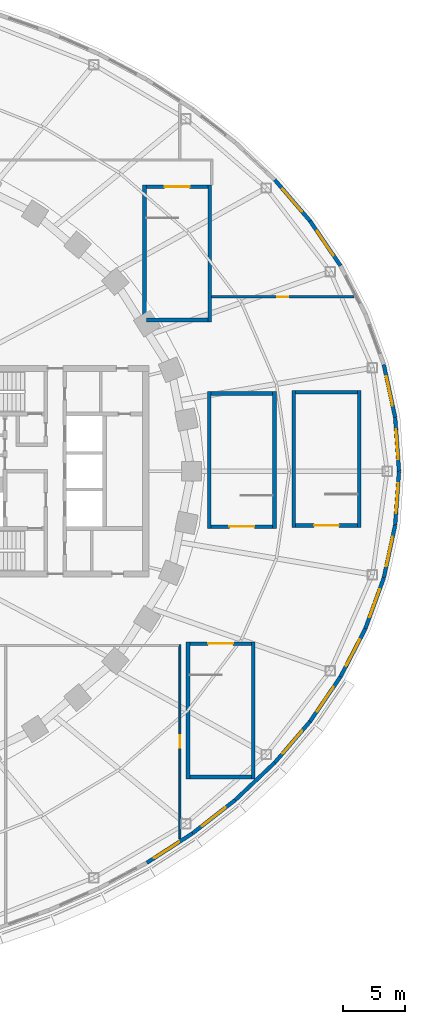
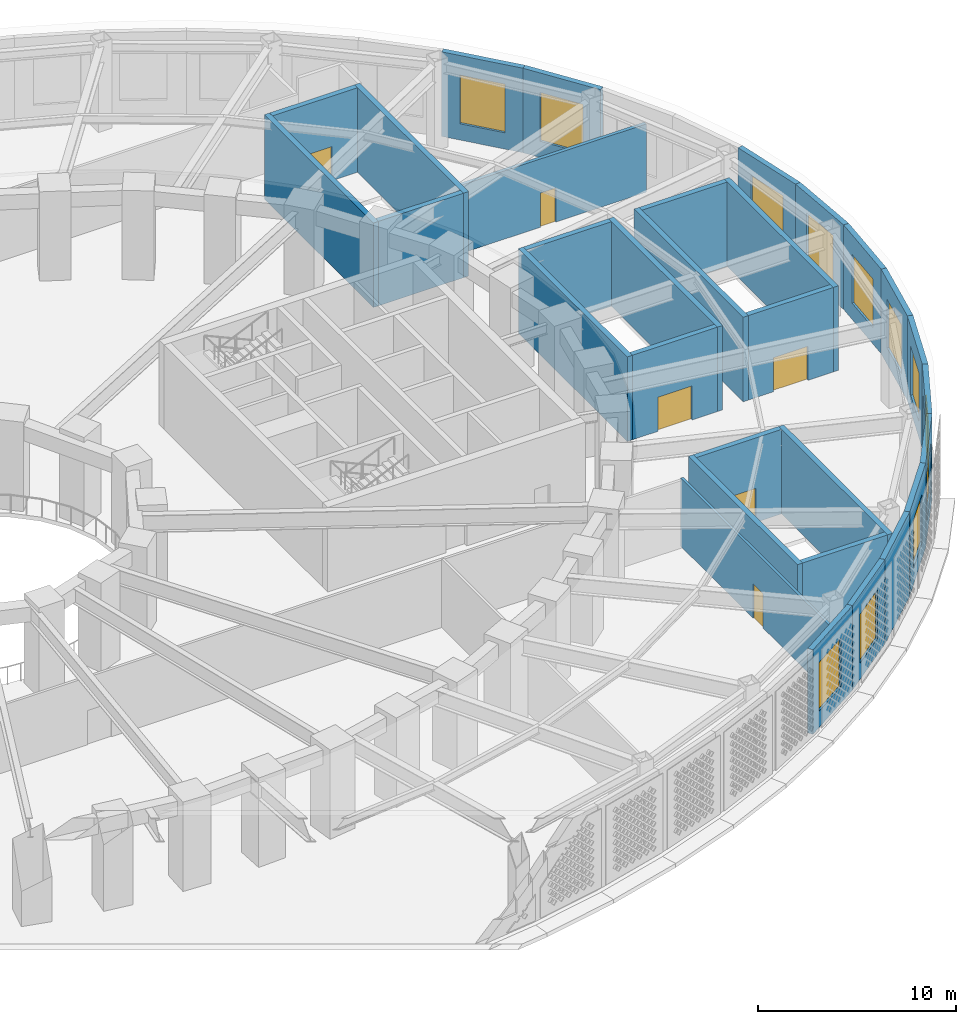
# One storey, part 14 of 63: 31 walls, 12 windows, 6 doors, 18 openings.
"""IFC4 building model written with IfcOpenShell, lengths in metres."""

from ifc_helpers import new_model, si_unit, direction, frame, frame_2d, origin, place, context, subcontext, project, spatial, rectangle, extrude, material, layer, layer_set, type_object, element, fill, save


model = new_model("IFC4")

# Units and contexts
model_context = context("Model", 3, precision=1e-05, world=origin(), true_north=direction((0.0, 1.0)))
body_context = subcontext(model_context, "Body", "Model", "MODEL_VIEW")
ifc_project = project(units=[si_unit("LENGTHUNIT", "METRE"), si_unit("AREAUNIT", "SQUARE_METRE"), si_unit("VOLUMEUNIT", "CUBIC_METRE"), si_unit("PLANEANGLEUNIT", "RADIAN"), si_unit("MASSUNIT", "GRAM", prefix="KILO")], contexts=[model_context])

# Site, building, storey
site_placement = place(None, origin())
site = spatial("IfcSite", under=ifc_project, at=site_placement, CompositionType="ELEMENT")
building_placement = place(site_placement, origin())
building = spatial("IfcBuilding", under=site, at=building_placement, Name="Noorbagh Ring Tower", CompositionType="ELEMENT")
storey_placement = place(building_placement, frame((0.0, 0.0, 25.0)))
storey = spatial("IfcBuildingStorey", under=building, at=storey_placement, Name="L04", CompositionType="ELEMENT", Elevation=25.0)

# Wall, opening, window
ifc_material_1 = material(Name="Blockwork faced with red sandstone", Category="masonry")
ifc_layer_1 = layer(ifc_material_1, 0.300048828125)
ifc_layer_set_1 = layer_set([ifc_layer_1], Name="Blockwork faced with red sandstone")
wall_type_1 = type_object("IfcWallType", Name="GND-ENV-WALL", PredefinedType="SOLIDWALL", material=ifc_layer_set_1)
wall_1_placement = place(storey_placement, frame((51.59912109375, 0.0, 0.0), z_axis=(0.0, 0.0, 1.0), x_axis=(-0.071315050824, 0.997453840298, 0.0)))
wall_1 = element("IfcWall", 1, at=wall_1_placement, inside=storey, type_object=wall_type_1, Name="Podium wall", PredefinedType="SOLIDWALL", context=body_context, shape_type="SweptSolid", body=[
    extrude(rectangle(XDim=4.33740234375, YDim=0.300048828125, at=frame_2d((2.168701171875, 0.0))), origin(), (0.0, 0.0, 1.0), 5.199951171875),
])
opening_1_placement = place(wall_1_placement, frame((0.96875, 0.0, 1.0)))
opening_1 = element("IfcOpeningElement", 2, at=opening_1_placement, cuts=wall_1, Name="Opening GWN1", PredefinedType="OPENING", context=body_context, shape_type="SweptSolid", body=[
    extrude(rectangle(XDim=2.39990234375, YDim=3.0, at=frame_2d((1.199951171875, 1.5))), frame((0.0, 0.16015625, 0.0), z_axis=(0.0, -1.0, 0.0), x_axis=(1.0, 0.0, 0.0)), (0.0, 0.0, 1.0), 0.320068359375),
])
ifc_material_2 = material(Name="Aluminium and glass", Category="aluminium")
window_type = type_object("IfcWindowType", Name="GND-ENV-WINDOW", PartitioningType="SINGLE_PANEL", PredefinedType="WINDOW", material=ifc_material_2)
window_1_placement = place(opening_1_placement, origin())
window_1 = element("IfcWindow", 3, at=window_1_placement, inside=storey, type_object=window_type, Name="L04 podium window", OverallHeight=3.0, OverallWidth=2.39990234375, PartitioningType="SINGLE_PANEL", PredefinedType="WINDOW", context=body_context, shape_type="SweptSolid", body=[
    extrude(rectangle(XDim=2.39990234375, YDim=3.0, at=frame_2d((1.199951171875, 1.5))), frame((0.0, 0.030029296875, 0.0), z_axis=(0.0, -1.0, 0.0), x_axis=(1.0, 0.0, 0.0)), (0.0, 0.0, 1.0), 0.06005859375),
])
fill(opening_1, window_1)

wall_2_placement = place(storey_placement, frame((51.289794921875, 4.326416015625, 0.0), z_axis=(0.0, 0.0, 1.0), x_axis=(-0.210616468766, 0.977568771537, 0.0)))
wall_2 = element("IfcWall", 4, at=wall_2_placement, inside=storey, type_object=wall_type_1, Name="Podium wall", PredefinedType="SOLIDWALL", context=body_context, shape_type="SweptSolid", body=[
    extrude(rectangle(XDim=4.3388671875, YDim=0.300048828125, at=frame_2d((2.16943359375, 0.0))), origin(), (0.0, 0.0, 1.0), 5.199951171875),
])
opening_2_placement = place(wall_2_placement, frame((0.969482421875, 0.0, 1.0)))
opening_2 = element("IfcOpeningElement", 5, at=opening_2_placement, cuts=wall_2, Name="Opening GWN1", PredefinedType="OPENING", context=body_context, shape_type="SweptSolid", body=[
    extrude(rectangle(XDim=2.39990234375, YDim=3.0, at=frame_2d((1.199951171875, 1.5))), frame((0.0, 0.16015625, 0.0), z_axis=(0.0, -1.0, 0.0), x_axis=(1.0, 0.0, 0.0)), (0.0, 0.0, 1.0), 0.320068359375),
])
window_2_placement = place(opening_2_placement, origin())
window_2 = element("IfcWindow", 6, at=window_2_placement, inside=storey, type_object=window_type, Name="L04 podium window", OverallHeight=3.0, OverallWidth=2.39990234375, PartitioningType="SINGLE_PANEL", PredefinedType="WINDOW", context=body_context, shape_type="SweptSolid", body=[
    extrude(rectangle(XDim=2.39990234375, YDim=3.0, at=frame_2d((1.199951171875, 1.5))), frame((0.0, 0.030029296875, 0.0), z_axis=(0.0, -1.0, 0.0), x_axis=(1.0, 0.0, 0.0)), (0.0, 0.0, 1.0), 0.06005859375),
])
fill(opening_2, window_2)

wall_3_placement = place(storey_placement, frame((46.89892578125, 16.50830078125, 0.0), z_axis=(0.0, 0.0, 1.0), x_axis=(-0.562667738859, 0.82668314102, 0.0)))
wall_3 = element("IfcWall", 7, at=wall_3_placement, inside=storey, type_object=wall_type_1, Name="Podium wall", PredefinedType="SOLIDWALL", context=body_context, shape_type="SweptSolid", body=[
    extrude(rectangle(XDim=4.348876953125, YDim=0.300048828125, at=frame_2d((2.17431640625, 0.0))), origin(), (0.0, 0.0, 1.0), 5.199951171875),
])
opening_3_placement = place(wall_3_placement, frame((0.974365234375, 0.0, 1.0)))
opening_3 = element("IfcOpeningElement", 8, at=opening_3_placement, cuts=wall_3, Name="Opening GWN1", PredefinedType="OPENING", context=body_context, shape_type="SweptSolid", body=[
    extrude(rectangle(XDim=2.39990234375, YDim=3.0, at=frame_2d((1.199951171875, 1.5))), frame((0.0, 0.16015625, 0.0), z_axis=(0.0, -1.0, 0.0), x_axis=(1.0, 0.0, 0.0)), (0.0, 0.0, 1.0), 0.320068359375),
])
window_3_placement = place(opening_3_placement, origin())
window_3 = element("IfcWindow", 9, at=window_3_placement, inside=storey, type_object=window_type, Name="L04 podium window", OverallHeight=3.0, OverallWidth=2.39990234375, PartitioningType="SINGLE_PANEL", PredefinedType="WINDOW", context=body_context, shape_type="SweptSolid", body=[
    extrude(rectangle(XDim=2.39990234375, YDim=3.0, at=frame_2d((1.199951171875, 1.5))), frame((0.0, 0.030029296875, 0.0), z_axis=(0.0, -1.0, 0.0), x_axis=(1.0, 0.0, 0.0)), (0.0, 0.0, 1.0), 0.06005859375),
])
fill(opening_3, window_3)

wall_4_placement = place(storey_placement, frame((44.451904296875, 20.103515625, 0.0), z_axis=(0.0, 0.0, 1.0), x_axis=(-0.651387059497, 0.758745608699, 0.0)))
wall_4 = element("IfcWall", 10, at=wall_4_placement, inside=storey, type_object=wall_type_1, Name="Podium wall", PredefinedType="SOLIDWALL", context=body_context, shape_type="SweptSolid", body=[
    extrude(rectangle(XDim=4.3525390625, YDim=0.300048828125, at=frame_2d((2.17626953125, 0.0))), origin(), (0.0, 0.0, 1.0), 5.199951171875),
])
opening_4_placement = place(wall_4_placement, frame((0.976318359375, 0.0, 1.0)))
opening_4 = element("IfcOpeningElement", 11, at=opening_4_placement, cuts=wall_4, Name="Opening GWN1", PredefinedType="OPENING", context=body_context, shape_type="SweptSolid", body=[
    extrude(rectangle(XDim=2.39990234375, YDim=3.0, at=frame_2d((1.199951171875, 1.5))), frame((0.0, 0.16015625, 0.0), z_axis=(0.0, -1.0, 0.0), x_axis=(1.0, 0.0, 0.0)), (0.0, 0.0, 1.0), 0.320068359375),
])
window_4_placement = place(opening_4_placement, origin())
window_4 = element("IfcWindow", 12, at=window_4_placement, inside=storey, type_object=window_type, Name="L04 podium window", OverallHeight=3.0, OverallWidth=2.39990234375, PartitioningType="SINGLE_PANEL", PredefinedType="WINDOW", context=body_context, shape_type="SweptSolid", body=[
    extrude(rectangle(XDim=2.39990234375, YDim=3.0, at=frame_2d((1.199951171875, 1.5))), frame((0.0, 0.030029296875, 0.0), z_axis=(0.0, -1.0, 0.0), x_axis=(1.0, 0.0, 0.0)), (0.0, 0.0, 1.0), 0.06005859375),
])
fill(opening_4, window_4)

wall_5_placement = place(storey_placement, frame((31.3515625, -31.448486328125, 0.0), z_axis=(0.0, 0.0, 1.0), x_axis=(0.840047348843, 0.542513088969, 0.0)))
wall_5 = element("IfcWall", 13, at=wall_5_placement, inside=storey, type_object=wall_type_1, Name="Podium wall", PredefinedType="SOLIDWALL", context=body_context, shape_type="SweptSolid", body=[
    extrude(rectangle(XDim=4.362060546875, YDim=0.300048828125, at=frame_2d((2.18115234375, 0.0))), origin(), (0.0, 0.0, 1.0), 5.199951171875),
])
opening_5_placement = place(wall_5_placement, frame((0.69091796875, 0.0, 1.0)))
opening_5 = element("IfcOpeningElement", 14, at=opening_5_placement, cuts=wall_5, Name="Opening GWN1", PredefinedType="OPENING", context=body_context, shape_type="SweptSolid", body=[
    extrude(rectangle(XDim=2.39990234375, YDim=3.0, at=frame_2d((1.199951171875, 1.5))), frame((0.0, 0.16015625, 0.0), z_axis=(0.0, -1.0, 0.0), x_axis=(1.0, 0.0, 0.0)), (0.0, 0.0, 1.0), 0.320068359375),
])
window_5_placement = place(opening_5_placement, origin())
window_5 = element("IfcWindow", 15, at=window_5_placement, inside=storey, type_object=window_type, Name="L04 podium window", OverallHeight=3.0, OverallWidth=2.39990234375, PartitioningType="SINGLE_PANEL", PredefinedType="WINDOW", context=body_context, shape_type="SweptSolid", body=[
    extrude(rectangle(XDim=2.39990234375, YDim=3.0, at=frame_2d((1.199951171875, 1.5))), frame((0.0, 0.030029296875, 0.0), z_axis=(0.0, -1.0, 0.0), x_axis=(1.0, 0.0, 0.0)), (0.0, 0.0, 1.0), 0.06005859375),
])
fill(opening_5, window_5)

wall_6_placement = place(storey_placement, frame((35.015869140625, -29.08203125, 0.0), z_axis=(0.0, 0.0, 1.0), x_axis=(0.788491985196, 0.615045030288, 0.0)))
wall_6 = element("IfcWall", 16, at=wall_6_placement, inside=storey, type_object=wall_type_1, Name="Podium wall", PredefinedType="SOLIDWALL", context=body_context, shape_type="SweptSolid", body=[
    extrude(rectangle(XDim=4.359375, YDim=0.300048828125, at=frame_2d((2.1796875, 0.0))), origin(), (0.0, 0.0, 1.0), 5.199951171875),
])
opening_6_placement = place(wall_6_placement, frame((0.979736328125, 0.0, 1.0)))
opening_6 = element("IfcOpeningElement", 17, at=opening_6_placement, cuts=wall_6, Name="Opening GWN1", PredefinedType="OPENING", context=body_context, shape_type="SweptSolid", body=[
    extrude(rectangle(XDim=2.39990234375, YDim=3.0, at=frame_2d((1.199951171875, 1.5))), frame((0.0, 0.16015625, 0.0), z_axis=(0.0, -1.0, 0.0), x_axis=(1.0, 0.0, 0.0)), (0.0, 0.0, 1.0), 0.320068359375),
])
window_6_placement = place(opening_6_placement, origin())
window_6 = element("IfcWindow", 18, at=window_6_placement, inside=storey, type_object=window_type, Name="L04 podium window", OverallHeight=3.0, OverallWidth=2.39990234375, PartitioningType="SINGLE_PANEL", PredefinedType="WINDOW", context=body_context, shape_type="SweptSolid", body=[
    extrude(rectangle(XDim=2.39990234375, YDim=3.0, at=frame_2d((1.199951171875, 1.5))), frame((0.0, 0.030029296875, 0.0), z_axis=(0.0, -1.0, 0.0), x_axis=(1.0, 0.0, 0.0)), (0.0, 0.0, 1.0), 0.06005859375),
])
fill(opening_6, window_6)

# Wall
wall_7_placement = place(storey_placement, frame((38.453125, -26.40087890625, 0.0), z_axis=(0.0, 0.0, 1.0), x_axis=(0.72620446032, 0.687478786444, 0.0)))
element("IfcWall", 19, at=wall_7_placement, inside=storey, type_object=wall_type_1, Name="Podium wall", PredefinedType="SOLIDWALL", context=body_context, shape_type="SweptSolid", body=[
    extrude(rectangle(XDim=4.356201171875, YDim=0.300048828125, at=frame_2d((2.17822265625, 0.0))), origin(), (0.0, 0.0, 1.0), 5.199951171875),
])

# Wall, opening, window
wall_8_placement = place(storey_placement, frame((41.61669921875, -23.406005859375, 0.0), z_axis=(0.0, 0.0, 1.0), x_axis=(0.651387059497, 0.758745608699, 0.0)))
wall_8 = element("IfcWall", 20, at=wall_8_placement, inside=storey, type_object=wall_type_1, Name="Podium wall", PredefinedType="SOLIDWALL", context=body_context, shape_type="SweptSolid", body=[
    extrude(rectangle(XDim=4.3525390625, YDim=0.300048828125, at=frame_2d((2.17626953125, 0.0))), origin(), (0.0, 0.0, 1.0), 5.199951171875),
])
opening_7_placement = place(wall_8_placement, frame((0.976318359375, 0.0, 1.0)))
opening_7 = element("IfcOpeningElement", 21, at=opening_7_placement, cuts=wall_8, Name="Opening GWN1", PredefinedType="OPENING", context=body_context, shape_type="SweptSolid", body=[
    extrude(rectangle(XDim=2.39990234375, YDim=3.0, at=frame_2d((1.199951171875, 1.5))), frame((0.0, 0.16015625, 0.0), z_axis=(0.0, -1.0, 0.0), x_axis=(1.0, 0.0, 0.0)), (0.0, 0.0, 1.0), 0.320068359375),
])
window_7_placement = place(opening_7_placement, origin())
window_7 = element("IfcWindow", 22, at=window_7_placement, inside=storey, type_object=window_type, Name="L04 podium window", OverallHeight=3.0, OverallWidth=2.39990234375, PartitioningType="SINGLE_PANEL", PredefinedType="WINDOW", context=body_context, shape_type="SweptSolid", body=[
    extrude(rectangle(XDim=2.39990234375, YDim=3.0, at=frame_2d((1.199951171875, 1.5))), frame((0.0, 0.030029296875, 0.0), z_axis=(0.0, -1.0, 0.0), x_axis=(1.0, 0.0, 0.0)), (0.0, 0.0, 1.0), 0.06005859375),
])
fill(opening_7, window_7)

wall_9_placement = place(storey_placement, frame((44.451904296875, -20.103515625, 0.0), z_axis=(0.0, 0.0, 1.0), x_axis=(0.562667738859, 0.82668314102, 0.0)))
wall_9 = element("IfcWall", 23, at=wall_9_placement, inside=storey, type_object=wall_type_1, Name="Podium wall", PredefinedType="SOLIDWALL", context=body_context, shape_type="SweptSolid", body=[
    extrude(rectangle(XDim=4.348876953125, YDim=0.300048828125, at=frame_2d((2.17431640625, 0.0))), origin(), (0.0, 0.0, 1.0), 5.199951171875),
])
opening_8_placement = place(wall_9_placement, frame((0.974365234375, 0.0, 1.0)))
opening_8 = element("IfcOpeningElement", 24, at=opening_8_placement, cuts=wall_9, Name="Opening GWN1", PredefinedType="OPENING", context=body_context, shape_type="SweptSolid", body=[
    extrude(rectangle(XDim=2.39990234375, YDim=3.0, at=frame_2d((1.199951171875, 1.5))), frame((0.0, 0.16015625, 0.0), z_axis=(0.0, -1.0, 0.0), x_axis=(1.0, 0.0, 0.0)), (0.0, 0.0, 1.0), 0.320068359375),
])
window_8_placement = place(opening_8_placement, origin())
window_8 = element("IfcWindow", 25, at=window_8_placement, inside=storey, type_object=window_type, Name="L04 podium window", OverallHeight=3.0, OverallWidth=2.39990234375, PartitioningType="SINGLE_PANEL", PredefinedType="WINDOW", context=body_context, shape_type="SweptSolid", body=[
    extrude(rectangle(XDim=2.39990234375, YDim=3.0, at=frame_2d((1.199951171875, 1.5))), frame((0.0, 0.030029296875, 0.0), z_axis=(0.0, -1.0, 0.0), x_axis=(1.0, 0.0, 0.0)), (0.0, 0.0, 1.0), 0.06005859375),
])
fill(opening_8, window_8)

wall_10_placement = place(storey_placement, frame((46.89892578125, -16.50830078125, 0.0), z_axis=(0.0, 0.0, 1.0), x_axis=(0.459242531468, 0.888310923771, 0.0)))
wall_10 = element("IfcWall", 26, at=wall_10_placement, inside=storey, type_object=wall_type_1, Name="Podium wall", PredefinedType="SOLIDWALL", context=body_context, shape_type="SweptSolid", body=[
    extrude(rectangle(XDim=4.344970703125, YDim=0.300048828125, at=frame_2d((2.17236328125, 0.0))), origin(), (0.0, 0.0, 1.0), 5.199951171875),
])
opening_9_placement = place(wall_10_placement, frame((0.972412109375, 0.0, 1.0)))
opening_9 = element("IfcOpeningElement", 27, at=opening_9_placement, cuts=wall_10, Name="Opening GWN1", PredefinedType="OPENING", context=body_context, shape_type="SweptSolid", body=[
    extrude(rectangle(XDim=2.39990234375, YDim=3.0, at=frame_2d((1.199951171875, 1.5))), frame((0.0, 0.16015625, 0.0), z_axis=(0.0, -1.0, 0.0), x_axis=(1.0, 0.0, 0.0)), (0.0, 0.0, 1.0), 0.320068359375),
])
window_9_placement = place(opening_9_placement, origin())
window_9 = element("IfcWindow", 28, at=window_9_placement, inside=storey, type_object=window_type, Name="L04 podium window", OverallHeight=3.0, OverallWidth=2.39990234375, PartitioningType="SINGLE_PANEL", PredefinedType="WINDOW", context=body_context, shape_type="SweptSolid", body=[
    extrude(rectangle(XDim=2.39990234375, YDim=3.0, at=frame_2d((1.199951171875, 1.5))), frame((0.0, 0.030029296875, 0.0), z_axis=(0.0, -1.0, 0.0), x_axis=(1.0, 0.0, 0.0)), (0.0, 0.0, 1.0), 0.06005859375),
])
fill(opening_9, window_9)

wall_11_placement = place(storey_placement, frame((48.894287109375, -12.648681640625, 0.0), z_axis=(0.0, 0.0, 1.0), x_axis=(0.341286990045, 0.939959142956, 0.0)))
wall_11 = element("IfcWall", 29, at=wall_11_placement, inside=storey, type_object=wall_type_1, Name="Podium wall", PredefinedType="SOLIDWALL", context=body_context, shape_type="SweptSolid", body=[
    extrude(rectangle(XDim=4.341552734375, YDim=0.300048828125, at=frame_2d((2.1708984375, 0.0))), origin(), (0.0, 0.0, 1.0), 5.199951171875),
])
opening_10_placement = place(wall_11_placement, frame((0.970703125, 0.0, 1.0)))
opening_10 = element("IfcOpeningElement", 30, at=opening_10_placement, cuts=wall_11, Name="Opening GWN1", PredefinedType="OPENING", context=body_context, shape_type="SweptSolid", body=[
    extrude(rectangle(XDim=2.39990234375, YDim=3.0, at=frame_2d((1.199951171875, 1.5))), frame((0.0, 0.16015625, 0.0), z_axis=(0.0, -1.0, 0.0), x_axis=(1.0, 0.0, 0.0)), (0.0, 0.0, 1.0), 0.320068359375),
])
window_10_placement = place(opening_10_placement, origin())
window_10 = element("IfcWindow", 31, at=window_10_placement, inside=storey, type_object=window_type, Name="L04 podium window", OverallHeight=3.0, OverallWidth=2.39990234375, PartitioningType="SINGLE_PANEL", PredefinedType="WINDOW", context=body_context, shape_type="SweptSolid", body=[
    extrude(rectangle(XDim=2.39990234375, YDim=3.0, at=frame_2d((1.199951171875, 1.5))), frame((0.0, 0.030029296875, 0.0), z_axis=(0.0, -1.0, 0.0), x_axis=(1.0, 0.0, 0.0)), (0.0, 0.0, 1.0), 0.06005859375),
])
fill(opening_10, window_10)

wall_12_placement = place(storey_placement, frame((50.3759765625, -8.56787109375, 0.0), z_axis=(0.0, 0.0, 1.0), x_axis=(0.210616468766, 0.977568771537, 0.0)))
wall_12 = element("IfcWall", 32, at=wall_12_placement, inside=storey, type_object=wall_type_1, Name="Podium wall", PredefinedType="SOLIDWALL", context=body_context, shape_type="SweptSolid", body=[
    extrude(rectangle(XDim=4.3388671875, YDim=0.300048828125, at=frame_2d((2.16943359375, 0.0))), origin(), (0.0, 0.0, 1.0), 5.199951171875),
])
opening_11_placement = place(wall_12_placement, frame((0.969482421875, 0.0, 1.0)))
opening_11 = element("IfcOpeningElement", 33, at=opening_11_placement, cuts=wall_12, Name="Opening GWN1", PredefinedType="OPENING", context=body_context, shape_type="SweptSolid", body=[
    extrude(rectangle(XDim=2.39990234375, YDim=3.0, at=frame_2d((1.199951171875, 1.5))), frame((0.0, 0.16015625, 0.0), z_axis=(0.0, -1.0, 0.0), x_axis=(1.0, 0.0, 0.0)), (0.0, 0.0, 1.0), 0.320068359375),
])
window_11_placement = place(opening_11_placement, origin())
window_11 = element("IfcWindow", 34, at=window_11_placement, inside=storey, type_object=window_type, Name="L04 podium window", OverallHeight=3.0, OverallWidth=2.39990234375, PartitioningType="SINGLE_PANEL", PredefinedType="WINDOW", context=body_context, shape_type="SweptSolid", body=[
    extrude(rectangle(XDim=2.39990234375, YDim=3.0, at=frame_2d((1.199951171875, 1.5))), frame((0.0, 0.030029296875, 0.0), z_axis=(0.0, -1.0, 0.0), x_axis=(1.0, 0.0, 0.0)), (0.0, 0.0, 1.0), 0.06005859375),
])
fill(opening_11, window_11)

wall_13_placement = place(storey_placement, frame((51.289794921875, -4.326416015625, 0.0), z_axis=(0.0, 0.0, 1.0), x_axis=(0.071315050824, 0.997453840298, 0.0)))
wall_13 = element("IfcWall", 35, at=wall_13_placement, inside=storey, type_object=wall_type_1, Name="Podium wall", PredefinedType="SOLIDWALL", context=body_context, shape_type="SweptSolid", body=[
    extrude(rectangle(XDim=4.33740234375, YDim=0.300048828125, at=frame_2d((2.168701171875, 0.0))), origin(), (0.0, 0.0, 1.0), 5.199951171875),
])
opening_12_placement = place(wall_13_placement, frame((0.96875, 0.0, 1.0)))
opening_12 = element("IfcOpeningElement", 36, at=opening_12_placement, cuts=wall_13, Name="Opening GWN1", PredefinedType="OPENING", context=body_context, shape_type="SweptSolid", body=[
    extrude(rectangle(XDim=2.39990234375, YDim=3.0, at=frame_2d((1.199951171875, 1.5))), frame((0.0, 0.16015625, 0.0), z_axis=(0.0, -1.0, 0.0), x_axis=(1.0, 0.0, 0.0)), (0.0, 0.0, 1.0), 0.320068359375),
])
window_12_placement = place(opening_12_placement, origin())
window_12 = element("IfcWindow", 37, at=window_12_placement, inside=storey, type_object=window_type, Name="L04 podium window", OverallHeight=3.0, OverallWidth=2.39990234375, PartitioningType="SINGLE_PANEL", PredefinedType="WINDOW", context=body_context, shape_type="SweptSolid", body=[
    extrude(rectangle(XDim=2.39990234375, YDim=3.0, at=frame_2d((1.199951171875, 1.5))), frame((0.0, 0.030029296875, 0.0), z_axis=(0.0, -1.0, 0.0), x_axis=(1.0, 0.0, 0.0)), (0.0, 0.0, 1.0), 0.06005859375),
])
fill(opening_12, window_12)

# Wall, opening, door
ifc_material_3 = material(Name="Gypsum board on steel studs", Category="steel")
ifc_layer_2 = layer(ifc_material_3, 0.14990234375)
ifc_layer_set_2 = layer_set([ifc_layer_2], Name="Gypsum board on steel studs")
wall_type_2 = type_object("IfcWallType", Name="GND-PART-150", PredefinedType="PARTITIONING", material=ifc_layer_set_2)
wall_14_placement = place(storey_placement, frame((34.0, -13.925048828125, 0.0), z_axis=(0.0, 0.0, 1.0), x_axis=(0.0, -1.0, 0.0)))
wall_14 = element("IfcWall", 38, at=wall_14_placement, inside=storey, type_object=wall_type_2, Name="L04/wall/P005", PredefinedType="PARTITIONING", context=body_context, shape_type="SweptSolid", body=[
    extrude(rectangle(XDim=15.594482421875, YDim=0.14990234375, at=frame_2d((7.79736328125, 0.0))), origin(), (0.0, 0.0, 1.0), 4.199951171875),
])
opening_13_placement = place(wall_14_placement, frame((7.29736328125, 0.0, 0.0)))
opening_13 = element("IfcOpeningElement", 39, at=opening_13_placement, cuts=wall_14, Name="Opening GD6", PredefinedType="OPENING", context=body_context, shape_type="SweptSolid", body=[
    extrude(rectangle(XDim=1.0, YDim=2.10009765625, at=frame_2d((0.5, 1.050048828125))), frame((0.0, 0.0849609375, 0.0), z_axis=(0.0, -1.0, 0.0), x_axis=(1.0, 0.0, 0.0)), (0.0, 0.0, 1.0), 0.169921875),
])
ifc_material_4 = material(Name="Timber", Category="wood")
door_type_1 = type_object("IfcDoorType", Name="GND-DOOR-HALL", OperationType="SINGLE_SWING_LEFT", PredefinedType="DOOR", material=ifc_material_4)
door_1_placement = place(opening_13_placement, origin())
door_1 = element("IfcDoor", 40, at=door_1_placement, inside=storey, type_object=door_type_1, Name="Boardroom door", OperationType="SINGLE_SWING_RIGHT", OverallHeight=2.10009765625, OverallWidth=1.0, PredefinedType="DOOR", context=body_context, shape_type="SweptSolid", body=[
    extrude(rectangle(XDim=1.0, YDim=2.10009765625, at=frame_2d((0.5, 1.050048828125))), frame((0.0, 0.02490234375, 0.0), z_axis=(0.0, -1.0, 0.0), x_axis=(1.0, 0.0, 0.0)), (0.0, 0.0, 1.0), 0.050048828125),
])
fill(opening_13, door_1)

ifc_material_5 = material(Name="Reinforced blockwork", Category="masonry")
ifc_layer_3 = layer(ifc_material_5, 0.199951171875)
ifc_layer_set_3 = layer_set([ifc_layer_3], Name="Reinforced blockwork")
wall_type_3 = type_object("IfcWallType", Name="GND-PART-200", PredefinedType="PARTITIONING", material=ifc_layer_set_3)
wall_15_placement = place(storey_placement, frame((47.98681640625, 14.0, 0.0), z_axis=(0.0, 0.0, 1.0), x_axis=(-1.0, 0.0, 0.0)))
wall_15 = element("IfcWall", 41, at=wall_15_placement, inside=storey, type_object=wall_type_3, Name="L04/wall/P012", PredefinedType="PARTITIONING", context=body_context, shape_type="SweptSolid", body=[
    extrude(rectangle(XDim=11.436767578125, YDim=0.199951171875, at=frame_2d((5.71826171875, 0.0))), origin(), (0.0, 0.0, 1.0), 4.199951171875),
])
opening_14_placement = place(wall_15_placement, frame((5.2685546875, 0.0, 0.0)))
opening_14 = element("IfcOpeningElement", 42, at=opening_14_placement, cuts=wall_15, Name="Opening GD10", PredefinedType="OPENING", context=body_context, shape_type="SweptSolid", body=[
    extrude(rectangle(XDim=0.89990234375, YDim=2.10009765625, at=frame_2d((0.449951171875, 1.050048828125))), frame((0.0, 0.10986328125, 0.0), z_axis=(0.0, -1.0, 0.0), x_axis=(1.0, 0.0, 0.0)), (0.0, 0.0, 1.0), 0.219970703125),
])
ifc_material_6 = material(Name="Steel", Category="steel")
door_type_2 = type_object("IfcDoorType", Name="GND-DOOR-HALL-FD60", OperationType="SINGLE_SWING_LEFT", PredefinedType="DOOR", material=ifc_material_6)
door_2_placement = place(opening_14_placement, origin())
door_2 = element("IfcDoor", 43, at=door_2_placement, inside=storey, type_object=door_type_2, Name="Catering pantry door", OperationType="SINGLE_SWING_LEFT", OverallHeight=2.10009765625, OverallWidth=0.89990234375, PredefinedType="DOOR", context=body_context, shape_type="SweptSolid", body=[
    extrude(rectangle(XDim=0.89990234375, YDim=2.10009765625, at=frame_2d((0.449951171875, 1.050048828125))), frame((0.0, 0.02490234375, 0.0), z_axis=(0.0, -1.0, 0.0), x_axis=(1.0, 0.0, 0.0)), (0.0, 0.0, 1.0), 0.050048828125),
])
fill(opening_14, door_2)

# Walls
ifc_material_7 = material(Name="Concrete C60/75", Category="concrete")
ifc_layer_4 = layer(ifc_material_7, 0.300048828125)
ifc_layer_set_4 = layer_set([ifc_layer_4], Name="Concrete C60/75")
wall_type_4 = type_object("IfcWallType", Name="GND-STAIR-WALL", PredefinedType="SHEAR", material=ifc_layer_set_4)
for number, where, z_axis, x_axis, name in (
    (44, (36.35009765625, -4.60009765625, 0.0), (0.0, 0.0, 1.0), (0.0, 1.0, 0.0), "Exit stair ST-P2 wall"),
    (45, (41.60009765625, -4.60009765625, 0.0), (0.0, 0.0, 1.0), (0.0, 1.0, 0.0), "Exit stair ST-P2 wall"),
):
    element("IfcWall", number, at=place(storey_placement, frame(where, z_axis=z_axis, x_axis=x_axis)), inside=storey, type_object=wall_type_4, Name=name, PredefinedType="SHEAR", context=body_context, shape_type="SweptSolid", body=[
        extrude(rectangle(XDim=11.0, YDim=0.300048828125, at=frame_2d((5.5, 0.0))), origin(), (0.0, 0.0, 1.0), 5.199951171875),
    ])

# Wall, opening, door
wall_16_placement = place(storey_placement, frame((36.5, -4.449951171875, 0.0), z_axis=(0.0, 0.0, 1.0), x_axis=(1.0, 0.0, 0.0)))
wall_16 = element("IfcWall", 46, at=wall_16_placement, inside=storey, type_object=wall_type_4, Name="Exit stair ST-P2 wall", PredefinedType="SHEAR", context=body_context, shape_type="SweptSolid", body=[
    extrude(rectangle(XDim=4.949951171875, YDim=0.300048828125, at=frame_2d((2.47509765625, 0.0))), origin(), (0.0, 0.0, 1.0), 5.199951171875),
])
opening_15_placement = place(wall_16_placement, frame((1.47509765625, 0.0, 0.0)))
opening_15 = element("IfcOpeningElement", 47, at=opening_15_placement, cuts=wall_16, Name="Opening GD17", PredefinedType="OPENING", context=body_context, shape_type="SweptSolid", body=[
    extrude(rectangle(XDim=2.0, YDim=2.10009765625, at=frame_2d((1.0, 1.050048828125))), frame((0.0, 0.16015625, 0.0), z_axis=(0.0, -1.0, 0.0), x_axis=(1.0, 0.0, 0.0)), (0.0, 0.0, 1.0), 0.320068359375),
])
ifc_material_8 = material(Name="Steel", Category="steel")
door_type_3 = type_object("IfcDoorType", Name="GND-STAIR-DOOR", OperationType="DOUBLE_DOOR_SINGLE_SWING", PredefinedType="DOOR", material=ifc_material_8)
door_3_placement = place(opening_15_placement, origin())
door_3 = element("IfcDoor", 48, at=door_3_placement, inside=storey, type_object=door_type_3, Name="Exit stair ST-P2 door", OperationType="DOUBLE_DOOR_SINGLE_SWING", OverallHeight=2.10009765625, OverallWidth=2.0, PredefinedType="DOOR", context=body_context, shape_type="SweptSolid", body=[
    extrude(rectangle(XDim=2.0, YDim=2.10009765625, at=frame_2d((1.0, 1.050048828125))), frame((0.0, 0.02490234375, 0.0), z_axis=(0.0, -1.0, 0.0), x_axis=(1.0, 0.0, 0.0)), (0.0, 0.0, 1.0), 0.050048828125),
])
fill(opening_15, door_3)

# Walls
wall_17_placement = place(storey_placement, frame((36.5, 6.25, 0.0), z_axis=(0.0, 0.0, 1.0), x_axis=(1.0, 0.0, 0.0)))
element("IfcWall", 49, at=wall_17_placement, inside=storey, type_object=wall_type_4, Name="Exit stair ST-P2 wall", PredefinedType="SHEAR", context=body_context, shape_type="SweptSolid", body=[
    extrude(rectangle(XDim=4.949951171875, YDim=0.300048828125, at=frame_2d((2.47509765625, 0.0))), origin(), (0.0, 0.0, 1.0), 5.199951171875),
])
for number, where, z_axis, x_axis, name in (
    (50, (43.14990234375, -4.5, 0.0), (0.0, 0.0, 1.0), (0.0, 1.0, 0.0), "Exit stair ST-P4 wall"),
    (51, (48.39990234375, -4.5, 0.0), (0.0, 0.0, 1.0), (0.0, 1.0, 0.0), "Exit stair ST-P4 wall"),
):
    element("IfcWall", number, at=place(storey_placement, frame(where, z_axis=z_axis, x_axis=x_axis)), inside=storey, type_object=wall_type_4, Name=name, PredefinedType="SHEAR", context=body_context, shape_type="SweptSolid", body=[
        extrude(rectangle(XDim=11.0, YDim=0.300048828125, at=frame_2d((5.5, 0.0))), origin(), (0.0, 0.0, 1.0), 5.199951171875),
    ])

# Wall, opening, door
wall_18_placement = place(storey_placement, frame((43.300048828125, -4.35009765625, 0.0), z_axis=(0.0, 0.0, 1.0), x_axis=(1.0, 0.0, 0.0)))
wall_18 = element("IfcWall", 52, at=wall_18_placement, inside=storey, type_object=wall_type_4, Name="Exit stair ST-P4 wall", PredefinedType="SHEAR", context=body_context, shape_type="SweptSolid", body=[
    extrude(rectangle(XDim=4.949951171875, YDim=0.300048828125, at=frame_2d((2.47509765625, 0.0))), origin(), (0.0, 0.0, 1.0), 5.199951171875),
])
opening_16_placement = place(wall_18_placement, frame((1.47509765625, 0.0, 0.0)))
opening_16 = element("IfcOpeningElement", 53, at=opening_16_placement, cuts=wall_18, Name="Opening GD17", PredefinedType="OPENING", context=body_context, shape_type="SweptSolid", body=[
    extrude(rectangle(XDim=2.0, YDim=2.10009765625, at=frame_2d((1.0, 1.050048828125))), frame((0.0, 0.16015625, 0.0), z_axis=(0.0, -1.0, 0.0), x_axis=(1.0, 0.0, 0.0)), (0.0, 0.0, 1.0), 0.320068359375),
])
door_4_placement = place(opening_16_placement, origin())
door_4 = element("IfcDoor", 54, at=door_4_placement, inside=storey, type_object=door_type_3, Name="Exit stair ST-P4 door", OperationType="DOUBLE_DOOR_SINGLE_SWING", OverallHeight=2.10009765625, OverallWidth=2.0, PredefinedType="DOOR", context=body_context, shape_type="SweptSolid", body=[
    extrude(rectangle(XDim=2.0, YDim=2.10009765625, at=frame_2d((1.0, 1.050048828125))), frame((0.0, 0.02490234375, 0.0), z_axis=(0.0, -1.0, 0.0), x_axis=(1.0, 0.0, 0.0)), (0.0, 0.0, 1.0), 0.050048828125),
])
fill(opening_16, door_4)

# Walls
wall_19_placement = place(storey_placement, frame((43.300048828125, 6.35009765625, 0.0), z_axis=(0.0, 0.0, 1.0), x_axis=(1.0, 0.0, 0.0)))
element("IfcWall", 55, at=wall_19_placement, inside=storey, type_object=wall_type_4, Name="Exit stair ST-P4 wall", PredefinedType="SHEAR", context=body_context, shape_type="SweptSolid", body=[
    extrude(rectangle(XDim=4.949951171875, YDim=0.300048828125, at=frame_2d((2.47509765625, 0.0))), origin(), (0.0, 0.0, 1.0), 5.199951171875),
])
for number, where, z_axis, x_axis, name in (
    (56, (31.14990234375, 12.0, 0.0), (0.0, 0.0, 1.0), (0.0, 1.0, 0.0), "Exit stair ST-P5 wall"),
    (57, (36.39990234375, 12.0, 0.0), (0.0, 0.0, 1.0), (0.0, 1.0, 0.0), "Exit stair ST-P5 wall"),
):
    element("IfcWall", number, at=place(storey_placement, frame(where, z_axis=z_axis, x_axis=x_axis)), inside=storey, type_object=wall_type_4, Name=name, PredefinedType="SHEAR", context=body_context, shape_type="SweptSolid", body=[
        extrude(rectangle(XDim=11.0, YDim=0.300048828125, at=frame_2d((5.5, 0.0))), origin(), (0.0, 0.0, 1.0), 5.199951171875),
    ])
wall_20_placement = place(storey_placement, frame((31.300048828125, 12.14990234375, 0.0), z_axis=(0.0, 0.0, 1.0), x_axis=(1.0, 0.0, 0.0)))
element("IfcWall", 58, at=wall_20_placement, inside=storey, type_object=wall_type_4, Name="Exit stair ST-P5 wall", PredefinedType="SHEAR", context=body_context, shape_type="SweptSolid", body=[
    extrude(rectangle(XDim=4.949951171875, YDim=0.300048828125, at=frame_2d((2.47509765625, 0.0))), origin(), (0.0, 0.0, 1.0), 5.199951171875),
])

# Wall, opening, door
wall_21_placement = place(storey_placement, frame((31.300048828125, 22.85009765625, 0.0), z_axis=(0.0, 0.0, 1.0), x_axis=(1.0, 0.0, 0.0)))
wall_21 = element("IfcWall", 59, at=wall_21_placement, inside=storey, type_object=wall_type_4, Name="Exit stair ST-P5 wall", PredefinedType="SHEAR", context=body_context, shape_type="SweptSolid", body=[
    extrude(rectangle(XDim=4.949951171875, YDim=0.300048828125, at=frame_2d((2.47509765625, 0.0))), origin(), (0.0, 0.0, 1.0), 5.199951171875),
])
opening_17_placement = place(wall_21_placement, frame((1.47509765625, 0.0, 0.0)))
opening_17 = element("IfcOpeningElement", 60, at=opening_17_placement, cuts=wall_21, Name="Opening GD17", PredefinedType="OPENING", context=body_context, shape_type="SweptSolid", body=[
    extrude(rectangle(XDim=2.0, YDim=2.10009765625, at=frame_2d((1.0, 1.050048828125))), frame((0.0, 0.16015625, 0.0), z_axis=(0.0, -1.0, 0.0), x_axis=(1.0, 0.0, 0.0)), (0.0, 0.0, 1.0), 0.320068359375),
])
door_5_placement = place(opening_17_placement, origin())
door_5 = element("IfcDoor", 61, at=door_5_placement, inside=storey, type_object=door_type_3, Name="Exit stair ST-P5 door", OperationType="DOUBLE_DOOR_SINGLE_SWING", OverallHeight=2.10009765625, OverallWidth=2.0, PredefinedType="DOOR", context=body_context, shape_type="SweptSolid", body=[
    extrude(rectangle(XDim=2.0, YDim=2.10009765625, at=frame_2d((1.0, 1.050048828125))), frame((0.0, 0.02490234375, 0.0), z_axis=(0.0, -1.0, 0.0), x_axis=(1.0, 0.0, 0.0)), (0.0, 0.0, 1.0), 0.050048828125),
])
fill(opening_17, door_5)

# Walls
for number, where, z_axis, x_axis, name in (
    (62, (34.64990234375, -24.699951171875, 0.0), (0.0, 0.0, 1.0), (0.0, 1.0, 0.0), "Exit stair ST-P6 wall"),
    (63, (39.89990234375, -24.699951171875, 0.0), (0.0, 0.0, 1.0), (0.0, 1.0, 0.0), "Exit stair ST-P6 wall"),
):
    element("IfcWall", number, at=place(storey_placement, frame(where, z_axis=z_axis, x_axis=x_axis)), inside=storey, type_object=wall_type_4, Name=name, PredefinedType="SHEAR", context=body_context, shape_type="SweptSolid", body=[
        extrude(rectangle(XDim=11.0, YDim=0.300048828125, at=frame_2d((5.5, 0.0))), origin(), (0.0, 0.0, 1.0), 5.199951171875),
    ])
wall_22_placement = place(storey_placement, frame((34.800048828125, -24.550048828125, 0.0), z_axis=(0.0, 0.0, 1.0), x_axis=(1.0, 0.0, 0.0)))
element("IfcWall", 64, at=wall_22_placement, inside=storey, type_object=wall_type_4, Name="Exit stair ST-P6 wall", PredefinedType="SHEAR", context=body_context, shape_type="SweptSolid", body=[
    extrude(rectangle(XDim=4.949951171875, YDim=0.300048828125, at=frame_2d((2.47509765625, 0.0))), origin(), (0.0, 0.0, 1.0), 5.199951171875),
])

# Wall, opening, door
wall_23_placement = place(storey_placement, frame((34.800048828125, -13.85009765625, 0.0), z_axis=(0.0, 0.0, 1.0), x_axis=(1.0, 0.0, 0.0)))
wall_23 = element("IfcWall", 65, at=wall_23_placement, inside=storey, type_object=wall_type_4, Name="Exit stair ST-P6 wall", PredefinedType="SHEAR", context=body_context, shape_type="SweptSolid", body=[
    extrude(rectangle(XDim=4.949951171875, YDim=0.300048828125, at=frame_2d((2.47509765625, 0.0))), origin(), (0.0, 0.0, 1.0), 5.199951171875),
])
opening_18_placement = place(wall_23_placement, frame((1.47509765625, 0.0, 0.0)))
opening_18 = element("IfcOpeningElement", 66, at=opening_18_placement, cuts=wall_23, Name="Opening GD17", PredefinedType="OPENING", context=body_context, shape_type="SweptSolid", body=[
    extrude(rectangle(XDim=2.0, YDim=2.10009765625, at=frame_2d((1.0, 1.050048828125))), frame((0.0, 0.16015625, 0.0), z_axis=(0.0, -1.0, 0.0), x_axis=(1.0, 0.0, 0.0)), (0.0, 0.0, 1.0), 0.320068359375),
])
door_6_placement = place(opening_18_placement, origin())
door_6 = element("IfcDoor", 67, at=door_6_placement, inside=storey, type_object=door_type_3, Name="Exit stair ST-P6 door", OperationType="DOUBLE_DOOR_SINGLE_SWING", OverallHeight=2.10009765625, OverallWidth=2.0, PredefinedType="DOOR", context=body_context, shape_type="SweptSolid", body=[
    extrude(rectangle(XDim=2.0, YDim=2.10009765625, at=frame_2d((1.0, 1.050048828125))), frame((0.0, 0.02490234375, 0.0), z_axis=(0.0, -1.0, 0.0), x_axis=(1.0, 0.0, 0.0)), (0.0, 0.0, 1.0), 0.050048828125),
])
fill(opening_18, door_6)

save(model, "model.ifc")
